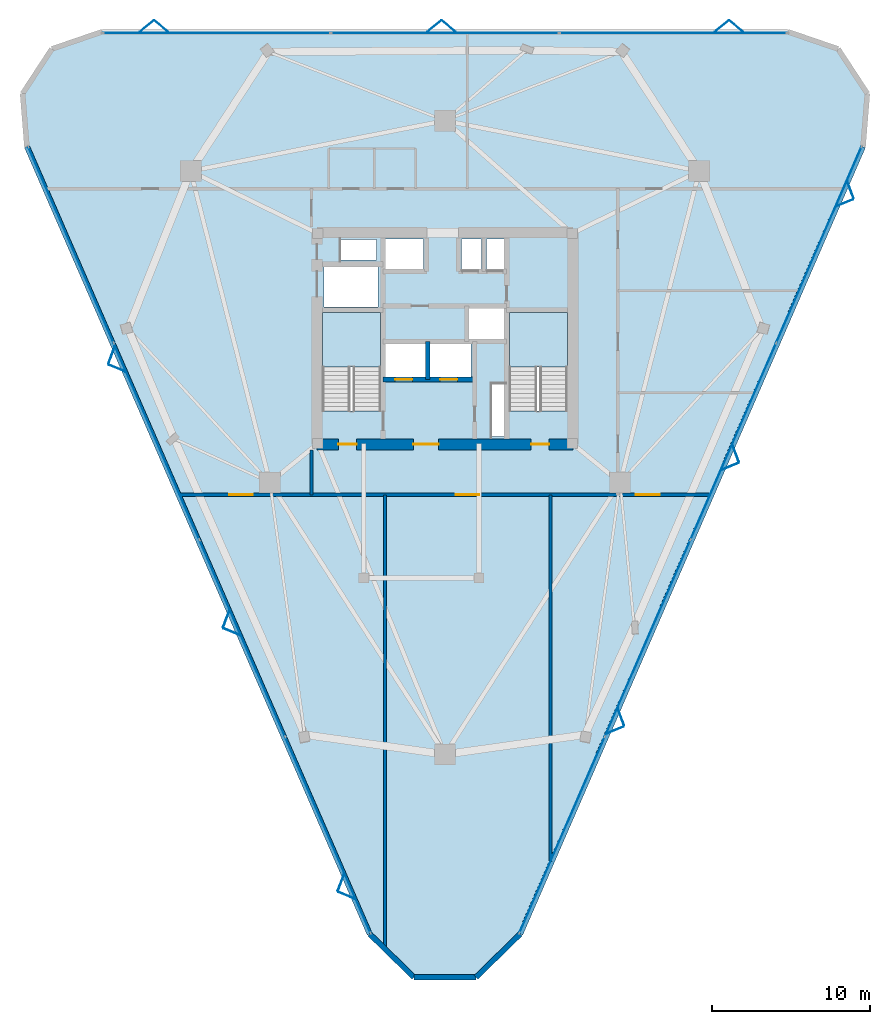
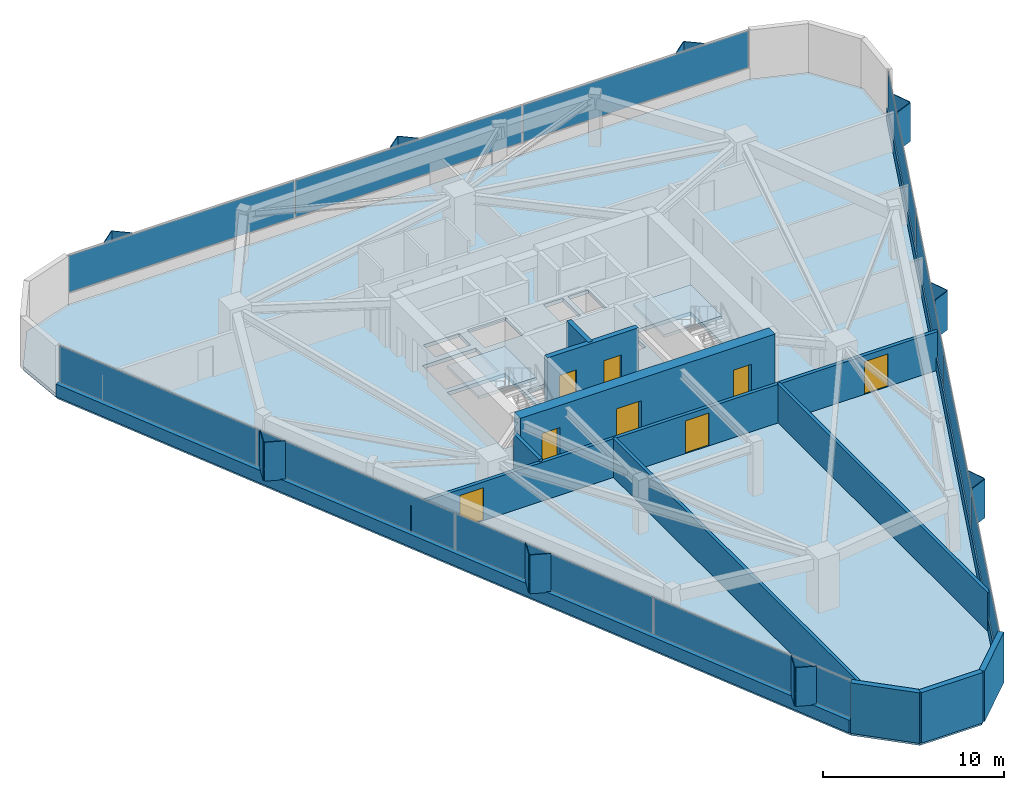
# One storey, part 9 of 12: 29 plates, 12 walls, 8 doors, 3 slabs, 8 openings, 5 elements without a shape of their own.
"""IFC4 building model written with IfcOpenShell, lengths in metres."""

from ifc_helpers import new_model, si_unit, direction, frame, frame_2d, origin, origin_2d, place, context, subcontext, project, spatial, polyline, rectangle, outline, extrude, material, layer, layer_set, type_object, element, fill, aggregate, save


model = new_model("IFC4")

# Units and contexts
model_context = context("Model", 3, precision=1e-05, world=origin(), true_north=direction((0.0, 1.0)))
body_context = subcontext(model_context, "Body", "Model", "MODEL_VIEW")
ifc_project = project(units=[si_unit("LENGTHUNIT", "METRE"), si_unit("AREAUNIT", "SQUARE_METRE"), si_unit("VOLUMEUNIT", "CUBIC_METRE"), si_unit("PLANEANGLEUNIT", "RADIAN"), si_unit("MASSUNIT", "GRAM", prefix="KILO")], contexts=[model_context])

# Site, building, storey
site_placement = place(None, origin())
site = spatial("IfcSite", under=ifc_project, at=site_placement, CompositionType="ELEMENT")
building_placement = place(site_placement, origin())
building = spatial("IfcBuilding", under=site, at=building_placement, Name="Talyreon Biosciences Tower", CompositionType="ELEMENT")
storey_placement = place(building_placement, frame((0.0, 0.0, 183.050048828125)))
storey = spatial("IfcBuildingStorey", under=building, at=storey_placement, Name="L48", CompositionType="ELEMENT", Elevation=183.050048828125)

# Curtain wall, plates
ifc_material_1 = material(Name="Thermally broken aluminium and low-E glazing", Category="aluminium")
ifc_layer_1 = layer(ifc_material_1, 0.179931640625)
ifc_layer_set_1 = layer_set([ifc_layer_1], Name="Thermally broken aluminium and low-E glazing")
curtain_wall_type = type_object("IfcCurtainWallType", Name="CurtainWall_Zone4Optical", PredefinedType="NOTDEFINED", material=ifc_layer_set_1)
curtain_wall_1_placement = place(storey_placement, origin())
curtain_wall_1 = element("IfcCurtainWall", 1, at=curtain_wall_1_placement, inside=storey, type_object=curtain_wall_type, Name="L48 Unitised Curtain Wall FCW-L48-00", PredefinedType="NOTDEFINED")
ifc_material_2 = material(Name="Triple-silver low-E insulated glazing", Category="glass")
ifc_layer_2 = layer(ifc_material_2, 0.031982421875)
ifc_layer_set_2 = layer_set([ifc_layer_2], Name="Triple-silver low-E insulated glazing")
plate_type_1 = type_object("IfcPlateType", Name="CWGlazingPanel_32", PredefinedType="CURTAIN_PANEL", material=ifc_layer_set_2)
plate_1_placement = place(storey_placement, frame((58.5869140625, 36.573974609375, 0.875), z_axis=(0.0, 0.0, 1.0), x_axis=(-0.399089020519, 0.916912184291, 0.0)))
plate_1 = element("IfcPlate", 2, at=plate_1_placement, type_object=plate_type_1, Name="CW5 panel 1.1", PredefinedType="CURTAIN_PANEL", context=body_context, shape_type="SweptSolid", body=[
    extrude(rectangle(XDim=13.49365234375, YDim=0.031982421875, at=origin_2d()), origin(), (0.0, 0.0, 1.0), 2.4599609375),
])
plate_2_placement = place(storey_placement, frame((53.16943359375, 49.02099609375, 0.875), z_axis=(0.0, 0.0, 1.0), x_axis=(-0.399089020519, 0.916912184291, 0.0)))
plate_2 = element("IfcPlate", 3, at=plate_2_placement, type_object=plate_type_1, Name="CW5 panel 2.1", PredefinedType="CURTAIN_PANEL", context=body_context, shape_type="SweptSolid", body=[
    extrude(rectangle(XDim=13.526123046875, YDim=0.031982421875, at=origin_2d()), origin(), (0.0, 0.0, 1.0), 2.4599609375),
])
plate_3_placement = place(storey_placement, frame((47.745361328125, 61.482666015625, 0.875), z_axis=(0.0, 0.0, 1.0), x_axis=(-0.399089020519, 0.916912184291, 0.0)))
plate_3 = element("IfcPlate", 4, at=plate_3_placement, type_object=plate_type_1, Name="CW5 panel 3.1", PredefinedType="CURTAIN_PANEL", context=body_context, shape_type="SweptSolid", body=[
    extrude(rectangle(XDim=13.526123046875, YDim=0.031982421875, at=origin_2d()), origin(), (0.0, 0.0, 1.0), 2.4599609375),
])
plate_4_placement = place(storey_placement, frame((42.327880859375, 73.9296875, 0.875), z_axis=(0.0, 0.0, 1.0), x_axis=(-0.399089020519, 0.916912184291, 0.0)))
plate_4 = element("IfcPlate", 5, at=plate_4_placement, type_object=plate_type_1, Name="CW5 panel 4.1", PredefinedType="CURTAIN_PANEL", context=body_context, shape_type="SweptSolid", body=[
    extrude(rectangle(XDim=13.49365234375, YDim=0.031982421875, at=origin_2d()), origin(), (0.0, 0.0, 1.0), 2.4599609375),
])
aggregate(curtain_wall_1, [plate_1, plate_2, plate_3, plate_4])

curtain_wall_2_placement = place(storey_placement, origin())
curtain_wall_2 = element("IfcCurtainWall", 6, at=curtain_wall_2_placement, inside=storey, type_object=curtain_wall_type, Name="L48 Unitised Curtain Wall FCW-L48-04", PredefinedType="NOTDEFINED")
plate_5_placement = place(storey_placement, frame((51.552001953125, 87.3388671875, 0.875), z_axis=(0.0, 0.0, 1.0), x_axis=(1.0, 0.0, 0.0)))
plate_5 = element("IfcPlate", 7, at=plate_5_placement, type_object=plate_type_1, Name="CW5 panel 1.1", PredefinedType="CURTAIN_PANEL", context=body_context, shape_type="SweptSolid", body=[
    extrude(rectangle(XDim=14.36669921875, YDim=0.031982421875, at=origin_2d()), origin(), (0.0, 0.0, 1.0), 2.4599609375),
])
plate_6_placement = place(storey_placement, frame((66.0, 87.3388671875, 0.875), z_axis=(0.0, 0.0, 1.0), x_axis=(1.0, 0.0, 0.0)))
plate_6 = element("IfcPlate", 8, at=plate_6_placement, type_object=plate_type_1, Name="CW5 panel 2.1", PredefinedType="CURTAIN_PANEL", context=body_context, shape_type="SweptSolid", body=[
    extrude(rectangle(XDim=14.399169921875, YDim=0.031982421875, at=origin_2d()), origin(), (0.0, 0.0, 1.0), 2.4599609375),
])
plate_7_placement = place(storey_placement, frame((80.447998046875, 87.3388671875, 0.875), z_axis=(0.0, 0.0, 1.0), x_axis=(1.0, 0.0, 0.0)))
plate_7 = element("IfcPlate", 9, at=plate_7_placement, type_object=plate_type_1, Name="CW5 panel 3.1", PredefinedType="CURTAIN_PANEL", context=body_context, shape_type="SweptSolid", body=[
    extrude(rectangle(XDim=14.36669921875, YDim=0.031982421875, at=origin_2d()), origin(), (0.0, 0.0, 1.0), 2.4599609375),
])
aggregate(curtain_wall_2, [plate_5, plate_6, plate_7])

curtain_wall_3_placement = place(storey_placement, origin())
curtain_wall_3 = element("IfcCurtainWall", 10, at=curtain_wall_3_placement, inside=storey, type_object=curtain_wall_type, Name="L48 Unitised Curtain Wall FCW-L48-08", PredefinedType="NOTDEFINED")
plate_8_placement = place(storey_placement, frame((89.672119140625, 73.9296875, 0.875), z_axis=(0.0, 0.0, 1.0), x_axis=(-0.399089020519, -0.916912184291, 0.0)))
plate_8 = element("IfcPlate", 11, at=plate_8_placement, type_object=plate_type_1, Name="CW5 panel 1.1", PredefinedType="CURTAIN_PANEL", context=body_context, shape_type="SweptSolid", body=[
    extrude(rectangle(XDim=13.49365234375, YDim=0.031982421875, at=origin_2d()), origin(), (0.0, 0.0, 1.0), 2.4599609375),
])
plate_9_placement = place(storey_placement, frame((84.254638671875, 61.482666015625, 0.875), z_axis=(0.0, 0.0, 1.0), x_axis=(-0.399089020519, -0.916912184291, 0.0)))
plate_9 = element("IfcPlate", 12, at=plate_9_placement, type_object=plate_type_1, Name="CW5 panel 2.1", PredefinedType="CURTAIN_PANEL", context=body_context, shape_type="SweptSolid", body=[
    extrude(rectangle(XDim=13.526123046875, YDim=0.031982421875, at=origin_2d()), origin(), (0.0, 0.0, 1.0), 2.4599609375),
])
plate_10_placement = place(storey_placement, frame((78.83056640625, 49.02099609375, 0.875), z_axis=(0.0, 0.0, 1.0), x_axis=(-0.399089020519, -0.916912184291, 0.0)))
plate_10 = element("IfcPlate", 13, at=plate_10_placement, type_object=plate_type_1, Name="CW5 panel 3.1", PredefinedType="CURTAIN_PANEL", context=body_context, shape_type="SweptSolid", body=[
    extrude(rectangle(XDim=13.526123046875, YDim=0.031982421875, at=origin_2d()), origin(), (0.0, 0.0, 1.0), 2.4599609375),
])
plate_11_placement = place(storey_placement, frame((73.4130859375, 36.573974609375, 0.875), z_axis=(0.0, 0.0, 1.0), x_axis=(-0.399089020519, -0.916912184291, 0.0)))
plate_11 = element("IfcPlate", 14, at=plate_11_placement, type_object=plate_type_1, Name="CW5 panel 4.1", PredefinedType="CURTAIN_PANEL", context=body_context, shape_type="SweptSolid", body=[
    extrude(rectangle(XDim=13.49365234375, YDim=0.031982421875, at=origin_2d()), origin(), (0.0, 0.0, 1.0), 2.4599609375),
])
aggregate(curtain_wall_3, [plate_8, plate_9, plate_10, plate_11])

# Slab
ifc_material_3 = material(Name="Concrete C40/50", Category="concrete")
ifc_layer_3 = layer(ifc_material_3, 0.25)
ifc_layer_set_3 = layer_set([ifc_layer_3], Name="Concrete C40/50")
slab_type_1 = type_object("IfcSlabType", Name="DryLabFloorSlab_250", PredefinedType="FLOOR", material=ifc_layer_set_3)
slab_1_placement = place(storey_placement, frame((0.0, 0.0, -0.25)))
element("IfcSlab", 15, at=slab_1_placement, inside=storey, type_object=slab_type_1, Name="L48 Structural Floor Slab", PredefinedType="FLOOR", context=body_context, shape_type="SweptSolid", body=[
    extrude(outline(polyline([(61.232177734375, 30.29638671875), (39.535888671875, 80.1435546875), (39.265380859375, 83.5048828125), (41.11376953125, 86.325439453125), (44.3037109375, 87.4189453125), (87.6962890625, 87.4189453125), (90.88623046875, 86.325439453125), (92.734619140625, 83.5048828125), (92.464111328125, 80.1435546875), (70.767822265625, 30.29638671875), (67.96142578125, 27.5556640625), (64.03857421875, 27.5556640625), (61.232177734375, 30.29638671875)]), holes=[polyline([(61.929931640625, 69.64990234375), (61.929931640625, 63.407958984375), (58.25, 63.407958984375), (58.25, 69.64990234375), (61.929931640625, 69.64990234375)]), polyline([(64.800048828125, 67.64990234375), (64.800048828125, 65.550048828125), (62.199951171875, 65.550048828125), (62.199951171875, 67.64990234375), (64.800048828125, 67.64990234375)]), polyline([(67.64990234375, 67.64990234375), (67.64990234375, 65.550048828125), (65.050048828125, 65.550048828125), (65.050048828125, 67.64990234375), (67.64990234375, 67.64990234375)]), polyline([(61.75, 69.97998046875), (58.35009765625, 69.97998046875), (58.35009765625, 72.550048828125), (61.75, 72.550048828125), (61.75, 69.97998046875)]), polyline([(64.64990234375, 72.35009765625), (62.199951171875, 72.35009765625), (62.199951171875, 74.300048828125), (64.64990234375, 74.300048828125), (64.64990234375, 72.35009765625)]), polyline([(61.64990234375, 74.25), (61.64990234375, 72.9599609375), (59.39990234375, 72.9599609375), (59.39990234375, 74.25), (61.64990234375, 74.25)]), polyline([(69.820068359375, 61.800048828125), (68.9599609375, 61.800048828125), (68.9599609375, 65.10009765625), (69.820068359375, 65.10009765625), (69.820068359375, 61.800048828125)]), polyline([(73.75, 63.407958984375), (70.070068359375, 63.407958984375), (70.070068359375, 69.64990234375), (73.75, 69.64990234375), (73.75, 63.407958984375)]), polyline([(69.89990234375, 69.949951171875), (69.89990234375, 67.949951171875), (67.5, 67.949951171875), (67.5, 69.949951171875), (69.89990234375, 69.949951171875)]), polyline([(68.300048828125, 72.35009765625), (67.050048828125, 72.35009765625), (67.050048828125, 74.300048828125), (68.300048828125, 74.300048828125), (68.300048828125, 72.35009765625)]), polyline([(69.919921875, 72.35009765625), (68.6201171875, 72.35009765625), (68.6201171875, 74.300048828125), (69.919921875, 74.300048828125), (69.919921875, 72.35009765625)])]), origin(), (0.0, 0.0, 1.0), 0.25),
])

# Plates
ifc_material_4 = material(Name="Ivory GFRC sunshade panel", Category="concrete")
ifc_layer_4 = layer(ifc_material_4, 0.044921875)
ifc_layer_set_4 = layer_set([ifc_layer_4], Name="Ivory GFRC sunshade panel")
plate_type_2 = type_object("IfcPlateType", Name="FoldedVSunshade_NorthFace_SUNSHADE", PredefinedType="USERDEFINED", material=ifc_layer_set_4)
for number, where, z_axis, x_axis, name in (
    (16, (47.123779296875, 87.77880859375, 0.7900390625), (0.0, 0.0, 1.0), (0.771624583388, 0.636078220278, 0.0), "L48 Folded V-Sunshade Panel 04.01L"),
    (17, (48.023681640625, 87.77880859375, 0.7900390625), (0.0, 0.0, 1.0), (0.771624583388, -0.636078220278, 0.0), "L48 Folded V-Sunshade Panel 04.01R"),
    (18, (65.32373046875, 87.77880859375, 0.7900390625), (0.0, 0.0, 1.0), (0.771624583388, 0.636078220278, 0.0), "L48 Folded V-Sunshade Panel 04.02L"),
    (19, (66.223876953125, 87.77880859375, 0.7900390625), (0.0, 0.0, 1.0), (0.771624583388, -0.636078220278, 0.0), "L48 Folded V-Sunshade Panel 04.02R"),
    (20, (83.523681640625, 87.77880859375, 0.7900390625), (0.0, 0.0, 1.0), (0.771624583388, 0.636078220278, 0.0), "L48 Folded V-Sunshade Panel 04.03L"),
    (21, (84.423828125, 87.77880859375, 0.7900390625), (0.0, 0.0, 1.0), (0.771624583388, -0.636078220278, 0.0), "L48 Folded V-Sunshade Panel 04.03R"),
):
    element("IfcPlate", number, at=place(storey_placement, frame(where, z_axis=z_axis, x_axis=x_axis)), inside=storey, type_object=plate_type_2, Name=name, ObjectType="SUNSHADE", PredefinedType="USERDEFINED", context=body_context, shape_type="SweptSolid", body=[
        extrude(rectangle(XDim=1.14990234375, YDim=0.044921875, at=origin_2d()), origin(), (0.0, 0.0, 1.0), 2.610107421875),
    ])
ifc_layer_5 = layer(ifc_material_4, 0.044921875)
ifc_layer_set_5 = layer_set([ifc_layer_5], Name="Ivory GFRC sunshade panel")
plate_type_3 = type_object("IfcPlateType", Name="FoldedVSunshade_SunFace_SUNSHADE", PredefinedType="USERDEFINED", material=ifc_layer_set_5)
for number, where, z_axis, x_axis, name in (
    (22, (59.776611328125, 32.73828125, 0.7900390625), (0.0, 0.0, 1.0), (-0.924019731257, 0.382344787134, 0.0), "L48 Folded V-Sunshade Panel 00.01L"),
    (23, (59.41748046875, 33.5634765625, 0.7900390625), (0.0, 0.0, 1.0), (0.349864049456, 0.93680048404, 0.0), "L48 Folded V-Sunshade Panel 00.01R"),
    (24, (52.51318359375, 49.426025390625, 0.7900390625), (0.0, 0.0, 1.0), (-0.924019731257, 0.382344787134, 0.0), "L48 Folded V-Sunshade Panel 00.02L"),
    (25, (52.154052734375, 50.251220703125, 0.7900390625), (0.0, 0.0, 1.0), (0.349864049456, 0.93680048404, 0.0), "L48 Folded V-Sunshade Panel 00.02R"),
    (26, (45.249755859375, 66.114013671875, 0.7900390625), (0.0, 0.0, 1.0), (-0.924019731257, 0.382344787134, 0.0), "L48 Folded V-Sunshade Panel 00.03L"),
    (27, (44.890625, 66.939208984375, 0.7900390625), (0.0, 0.0, 1.0), (0.349864049456, 0.93680048404, 0.0), "L48 Folded V-Sunshade Panel 00.03R"),
    (28, (91.668701171875, 77.414306640625, 0.7900390625), (0.0, 0.0, 1.0), (0.349864049456, -0.93680048404, 0.0), "L48 Folded V-Sunshade Panel 08.01L"),
    (29, (91.3095703125, 76.589111328125, 0.7900390625), (0.0, 0.0, 1.0), (-0.924019731257, -0.382344787134, 0.0), "L48 Folded V-Sunshade Panel 08.01R"),
    (30, (84.4052734375, 60.726318359375, 0.7900390625), (0.0, 0.0, 1.0), (0.349864049456, -0.93680048404, 0.0), "L48 Folded V-Sunshade Panel 08.02L"),
    (31, (84.046142578125, 59.901123046875, 0.7900390625), (0.0, 0.0, 1.0), (-0.924019731257, -0.382344787134, 0.0), "L48 Folded V-Sunshade Panel 08.02R"),
    (32, (77.141845703125, 44.03857421875, 0.7900390625), (0.0, 0.0, 1.0), (0.349864049456, -0.93680048404, 0.0), "L48 Folded V-Sunshade Panel 08.03L"),
    (33, (76.78271484375, 43.21337890625, 0.7900390625), (0.0, 0.0, 1.0), (-0.924019731257, -0.382344787134, 0.0), "L48 Folded V-Sunshade Panel 08.03R"),
):
    element("IfcPlate", number, at=place(storey_placement, frame(where, z_axis=z_axis, x_axis=x_axis)), inside=storey, type_object=plate_type_3, Name=name, ObjectType="SUNSHADE", PredefinedType="USERDEFINED", context=body_context, shape_type="SweptSolid", body=[
        extrude(rectangle(XDim=1.14990234375, YDim=0.044921875, at=origin_2d()), origin(), (0.0, 0.0, 1.0), 2.610107421875),
    ])

# Stair, slab
stair_type = type_object("IfcStairType", Name="DoglegEscapeStair_3650", PredefinedType="HALF_TURN_STAIR", material=ifc_material_3)
stair_1_placement = place(storey_placement, origin())
stair_1 = element("IfcStair", 34, at=stair_1_placement, inside=storey, type_object=stair_type, Name="L48 Core Escape Stair 1", PredefinedType="HALF_TURN_STAIR")
ifc_layer_6 = layer(ifc_material_3, 0.199951171875)
ifc_layer_set_6 = layer_set([ifc_layer_6], Name="Concrete C40/50")
slab_type_2 = type_object("IfcSlabType", Name="StairLandingSlab_200", PredefinedType="LANDING", material=ifc_layer_set_6)
slab_2_placement = place(storey_placement, frame((0.0, 0.0, 1.625)))
slab_2 = element("IfcSlab", 35, at=slab_2_placement, type_object=slab_type_2, Name="ST-1 landing 1", PredefinedType="LANDING", context=body_context, shape_type="SweptSolid", body=[
    extrude(outline(polyline([(61.929931640625, 66.199951171875), (61.929931640625, 69.64990234375), (58.25, 69.64990234375), (58.25, 66.199951171875), (61.929931640625, 66.199951171875)])), origin(), (0.0, 0.0, 1.0), 0.199951171875),
])
aggregate(stair_1, [slab_2])

stair_2_placement = place(storey_placement, origin())
stair_2 = element("IfcStair", 36, at=stair_2_placement, inside=storey, type_object=stair_type, Name="L48 Core Escape Stair 2", PredefinedType="HALF_TURN_STAIR")
slab_3_placement = place(storey_placement, frame((0.0, 0.0, 1.625)))
slab_3 = element("IfcSlab", 37, at=slab_3_placement, type_object=slab_type_2, Name="ST-2 landing 1", PredefinedType="LANDING", context=body_context, shape_type="SweptSolid", body=[
    extrude(outline(polyline([(73.75, 66.199951171875), (73.75, 69.64990234375), (70.070068359375, 69.64990234375), (70.070068359375, 66.199951171875), (73.75, 66.199951171875)])), origin(), (0.0, 0.0, 1.0), 0.199951171875),
])
aggregate(stair_2, [slab_3])

# Walls
ifc_material_5 = material(Name="Gypsum fireboard acoustic stud", Category="gypsum")
ifc_layer_7 = layer(ifc_material_5, 0.199951171875)
ifc_layer_set_7 = layer_set([ifc_layer_7], Name="Gypsum fireboard acoustic stud")
wall_type_1 = type_object("IfcWallType", Name="ChemControlPartition_200", PredefinedType="PARTITIONING", material=ifc_layer_set_7)
wall_1_placement = place(storey_placement, frame((62.199951171875, 29.469970703125, 0.0), z_axis=(0.0, 0.0, 1.0), x_axis=(0.0, 1.0, 0.0)))
element("IfcWall", 38, at=wall_1_placement, inside=storey, type_object=wall_type_1, Name="L48 Interior Wall IW-L48-SDIV1", PredefinedType="PARTITIONING", context=body_context, shape_type="SweptSolid", body=[
    extrude(rectangle(XDim=28.630126953125, YDim=0.199951171875, at=frame_2d((14.31494140625, 0.0))), origin(), (0.0, 0.0, 1.0), 2.599853515625),
])
wall_2_placement = place(storey_placement, frame((72.672119140625, 34.884033203125, 0.0), z_axis=(0.0, 0.0, 1.0), x_axis=(0.0, 1.0, 0.0)))
element("IfcWall", 39, at=wall_2_placement, inside=storey, type_object=wall_type_1, Name="L48 Interior Wall IW-L48-SDIV2", PredefinedType="PARTITIONING", context=body_context, shape_type="SweptSolid", body=[
    extrude(rectangle(XDim=23.216064453125, YDim=0.199951171875, at=frame_2d((11.60791015625, 0.0))), origin(), (0.0, 0.0, 1.0), 2.599853515625),
])
ifc_material_6 = material(Name="Concrete C50/60", Category="concrete")
ifc_layer_8 = layer(ifc_material_6, 0.280029296875)
ifc_layer_set_8 = layer_set([ifc_layer_8], Name="Concrete C50/60")
wall_type_2 = type_object("IfcWallType", Name="CoreShearWall_280", PredefinedType="SHEAR", material=ifc_layer_set_8)
wall_3_placement = place(storey_placement, frame((64.919921875, 65.39990234375, 0.0), z_axis=(0.0, 0.0, 1.0), x_axis=(0.0, 1.0, 0.0)))
element("IfcWall", 40, at=wall_3_placement, inside=storey, type_object=wall_type_2, Name="L48 Core Shaft Wall SWSHD1", PredefinedType="SHEAR", context=body_context, shape_type="SweptSolid", body=[
    extrude(rectangle(XDim=2.400146484375, YDim=0.280029296875, at=frame_2d((1.2001953125, 0.0))), origin(), (0.0, 0.0, 1.0), 3.64990234375),
])

# Wall, openings, doors
ifc_layer_9 = layer(ifc_material_6, 0.320068359375)
ifc_layer_set_9 = layer_set([ifc_layer_9], Name="Concrete C50/60")
wall_type_3 = type_object("IfcWallType", Name="CoreShearWall_320", PredefinedType="SHEAR", material=ifc_layer_set_9)
wall_4_placement = place(storey_placement, frame((62.090087890625, 65.39990234375, 0.0), z_axis=(0.0, 0.0, 1.0), x_axis=(1.0, 0.0, 0.0)))
wall_4 = element("IfcWall", 41, at=wall_4_placement, inside=storey, type_object=wall_type_3, Name="L48 Core Shaft Wall SWFFN", PredefinedType="SHEAR", context=body_context, shape_type="SweptSolid", body=[
    extrude(rectangle(XDim=5.789794921875, YDim=0.320068359375, at=frame_2d((2.89501953125, 0.0))), origin(), (0.0, 0.0, 1.0), 3.64990234375),
])
opening_1_placement = place(wall_4_placement, frame((0.75, 0.0, 0.0)))
opening_1 = element("IfcOpeningElement", 42, at=opening_1_placement, cuts=wall_4, Name="Opening LD-L48-FL1", PredefinedType="OPENING", context=body_context, shape_type="SweptSolid", body=[
    extrude(rectangle(XDim=1.10009765625, YDim=2.199951171875, at=frame_2d((0.550048828125, 1.10009765625))), frame((0.0, 0.169921875, 0.0), z_axis=(0.0, -1.0, 0.0), x_axis=(1.0, 0.0, 0.0)), (0.0, 0.0, 1.0), 0.340087890625),
])
opening_2_placement = place(wall_4_placement, frame((3.60009765625, 0.0, 0.0)))
opening_2 = element("IfcOpeningElement", 43, at=opening_2_placement, cuts=wall_4, Name="Opening LD-L48-FL2", PredefinedType="OPENING", context=body_context, shape_type="SweptSolid", body=[
    extrude(rectangle(XDim=1.10009765625, YDim=2.199951171875, at=frame_2d((0.550048828125, 1.10009765625))), frame((0.0, 0.169921875, 0.0), z_axis=(0.0, -1.0, 0.0), x_axis=(1.0, 0.0, 0.0)), (0.0, 0.0, 1.0), 0.340087890625),
])
ifc_material_7 = material(Name="Brushed stainless-steel lift landing door", Category="steel")
door_type_1 = type_object("IfcDoorType", Name="LiftSlidingLandingDoor_1100x2200", OperationType="SLIDING_TO_LEFT", PredefinedType="DOOR", material=ifc_material_7)
door_1_placement = place(opening_1_placement, origin())
door_1 = element("IfcDoor", 44, at=door_1_placement, inside=storey, type_object=door_type_1, Name="L48 Core Door LD-L48-FL1", OperationType="SLIDING_TO_LEFT", OverallHeight=2.199951171875, OverallWidth=1.10009765625, PredefinedType="DOOR", context=body_context, shape_type="SweptSolid", body=[
    extrude(rectangle(XDim=1.10009765625, YDim=2.199951171875, at=frame_2d((0.550048828125, 1.10009765625))), frame((0.0, 0.02490234375, 0.0), z_axis=(0.0, -1.0, 0.0), x_axis=(1.0, 0.0, 0.0)), (0.0, 0.0, 1.0), 0.050048828125),
])
fill(opening_1, door_1)
door_2_placement = place(opening_2_placement, origin())
door_2 = element("IfcDoor", 45, at=door_2_placement, inside=storey, type_object=door_type_1, Name="L48 Core Door LD-L48-FL2", OperationType="SLIDING_TO_LEFT", OverallHeight=2.199951171875, OverallWidth=1.10009765625, PredefinedType="DOOR", context=body_context, shape_type="SweptSolid", body=[
    extrude(rectangle(XDim=1.10009765625, YDim=2.199951171875, at=frame_2d((0.550048828125, 1.10009765625))), frame((0.0, 0.02490234375, 0.0), z_axis=(0.0, -1.0, 0.0), x_axis=(1.0, 0.0, 0.0)), (0.0, 0.0, 1.0), 0.050048828125),
])
fill(opening_2, door_2)

ifc_layer_10 = layer(ifc_material_6, 0.699951171875)
ifc_layer_set_10 = layer_set([ifc_layer_10], Name="Concrete C50/60")
wall_type_4 = type_object("IfcWallType", Name="CoreShearWall_700", PredefinedType="SHEAR", material=ifc_layer_set_10)
wall_5_placement = place(storey_placement, frame((57.89990234375, 61.300048828125, 0.0), z_axis=(0.0, 0.0, 1.0), x_axis=(1.0, 0.0, 0.0)))
wall_5 = element("IfcWall", 46, at=wall_5_placement, inside=storey, type_object=wall_type_4, Name="L48 Core Shear Wall S", PredefinedType="SHEAR", context=body_context, shape_type="SweptSolid", body=[
    extrude(rectangle(XDim=16.2001953125, YDim=0.699951171875, at=frame_2d((8.10009765625, 0.0))), origin(), (0.0, 0.0, 1.0), 3.64990234375),
])
opening_3_placement = place(wall_5_placement, frame((1.35009765625, 0.0, 0.0)))
opening_3 = element("IfcOpeningElement", 47, at=opening_3_placement, cuts=wall_5, Name="Opening DR-L48-ST1", PredefinedType="OPENING", context=body_context, shape_type="SweptSolid", body=[
    extrude(rectangle(XDim=1.14990234375, YDim=2.14990234375, at=frame_2d((0.574951171875, 1.074951171875))), frame((0.0, 0.35986328125, 0.0), z_axis=(0.0, -1.0, 0.0), x_axis=(1.0, 0.0, 0.0)), (0.0, 0.0, 1.0), 0.719970703125),
])
opening_4_placement = place(wall_5_placement, frame((6.10009765625, 0.0, 0.0)))
opening_4 = element("IfcOpeningElement", 48, at=opening_4_placement, cuts=wall_5, Name="Opening DR-L48-FFL", PredefinedType="OPENING", context=body_context, shape_type="SweptSolid", body=[
    extrude(rectangle(XDim=1.60009765625, YDim=2.14990234375, at=frame_2d((0.800048828125, 1.074951171875))), frame((0.0, 0.35986328125, 0.0), z_axis=(0.0, -1.0, 0.0), x_axis=(1.0, 0.0, 0.0)), (0.0, 0.0, 1.0), 0.719970703125),
])
opening_5_placement = place(wall_5_placement, frame((13.550048828125, 0.0, 0.0)))
opening_5 = element("IfcOpeningElement", 49, at=opening_5_placement, cuts=wall_5, Name="Opening DR-L48-ST2", PredefinedType="OPENING", context=body_context, shape_type="SweptSolid", body=[
    extrude(rectangle(XDim=1.14990234375, YDim=2.14990234375, at=frame_2d((0.574951171875, 1.074951171875))), frame((0.0, 0.35986328125, 0.0), z_axis=(0.0, -1.0, 0.0), x_axis=(1.0, 0.0, 0.0)), (0.0, 0.0, 1.0), 0.719970703125),
])
ifc_material_8 = material(Name="Painted steel smoke-seal fire door", Category="steel")
door_type_2 = type_object("IfcDoorType", Name="FirefightingLobbyDoubleDoor_1600x2150", OperationType="DOUBLE_DOOR_SINGLE_SWING", PredefinedType="DOOR", material=ifc_material_8)
door_3_placement = place(opening_4_placement, origin())
door_3 = element("IfcDoor", 50, at=door_3_placement, inside=storey, type_object=door_type_2, Name="L48 Core Door DR-L48-FFL", OperationType="DOUBLE_DOOR_SINGLE_SWING", OverallHeight=2.14990234375, OverallWidth=1.60009765625, PredefinedType="DOOR", context=body_context, shape_type="SweptSolid", body=[
    extrude(rectangle(XDim=1.60009765625, YDim=2.14990234375, at=frame_2d((0.800048828125, 1.074951171875))), frame((0.0, 0.02490234375, 0.0), z_axis=(0.0, -1.0, 0.0), x_axis=(1.0, 0.0, 0.0)), (0.0, 0.0, 1.0), 0.050048828125),
])
fill(opening_4, door_3)
ifc_material_9 = material(Name="Painted steel fire door", Category="steel")
door_type_3 = type_object("IfcDoorType", Name="StairShaftFireDoor_1150x2150", OperationType="NOTDEFINED", PredefinedType="DOOR", material=ifc_material_9)
door_4_placement = place(opening_3_placement, origin())
door_4 = element("IfcDoor", 51, at=door_4_placement, inside=storey, type_object=door_type_3, Name="L48 Core Door DR-L48-ST1", OperationType="SINGLE_SWING_LEFT", OverallHeight=2.14990234375, OverallWidth=1.14990234375, PredefinedType="DOOR", context=body_context, shape_type="SweptSolid", body=[
    extrude(rectangle(XDim=1.14990234375, YDim=2.14990234375, at=frame_2d((0.574951171875, 1.074951171875))), frame((0.0, 0.02490234375, 0.0), z_axis=(0.0, -1.0, 0.0), x_axis=(1.0, 0.0, 0.0)), (0.0, 0.0, 1.0), 0.050048828125),
])
fill(opening_3, door_4)
door_5_placement = place(opening_5_placement, origin())
door_5 = element("IfcDoor", 52, at=door_5_placement, inside=storey, type_object=door_type_3, Name="L48 Core Door DR-L48-ST2", OperationType="SINGLE_SWING_RIGHT", OverallHeight=2.14990234375, OverallWidth=1.14990234375, PredefinedType="DOOR", context=body_context, shape_type="SweptSolid", body=[
    extrude(rectangle(XDim=1.14990234375, YDim=2.14990234375, at=frame_2d((0.574951171875, 1.074951171875))), frame((0.0, 0.02490234375, 0.0), z_axis=(0.0, -1.0, 0.0), x_axis=(1.0, 0.0, 0.0)), (0.0, 0.0, 1.0), 0.050048828125),
])
fill(opening_5, door_5)

ifc_layer_11 = layer(ifc_material_5, 0.219970703125)
ifc_layer_set_11 = layer_set([ifc_layer_11], Name="Gypsum fireboard acoustic stud")
wall_type_5 = type_object("IfcWallType", Name="CorridorRatedPartition_220", PredefinedType="PARTITIONING", material=ifc_layer_set_11)
wall_6_placement = place(storey_placement, frame((49.22314453125, 58.10009765625, 0.0), z_axis=(0.0, 0.0, 1.0), x_axis=(1.0, 0.0, 0.0)))
wall_6 = element("IfcWall", 53, at=wall_6_placement, inside=storey, type_object=wall_type_5, Name="L48 Interior Wall IW-L48-COR-S", PredefinedType="PARTITIONING", context=body_context, shape_type="SweptSolid", body=[
    extrude(rectangle(XDim=33.5537109375, YDim=0.219970703125, at=frame_2d((16.77685546875, 0.0))), origin(), (0.0, 0.0, 1.0), 2.599853515625),
])
opening_6_placement = place(wall_6_placement, frame((3.116943359375, 0.0, 0.0)))
opening_6 = element("IfcOpeningElement", 54, at=opening_6_placement, cuts=wall_6, Name="Opening DR-L48-S1A", PredefinedType="OPENING", context=body_context, shape_type="SweptSolid", body=[
    extrude(rectangle(XDim=1.5, YDim=2.199951171875, at=frame_2d((0.75, 1.10009765625))), frame((0.0, 0.119873046875, 0.0), z_axis=(0.0, -1.0, 0.0), x_axis=(1.0, 0.0, 0.0)), (0.0, 0.0, 1.0), 0.239990234375),
])
opening_7_placement = place(wall_6_placement, frame((17.462890625, 0.0, 0.0)))
opening_7 = element("IfcOpeningElement", 55, at=opening_7_placement, cuts=wall_6, Name="Opening DR-L48-S2A", PredefinedType="OPENING", context=body_context, shape_type="SweptSolid", body=[
    extrude(rectangle(XDim=1.5, YDim=2.199951171875, at=frame_2d((0.75, 1.10009765625))), frame((0.0, 0.119873046875, 0.0), z_axis=(0.0, -1.0, 0.0), x_axis=(1.0, 0.0, 0.0)), (0.0, 0.0, 1.0), 0.239990234375),
])
opening_8_placement = place(wall_6_placement, frame((28.863037109375, 0.0, 0.0)))
opening_8 = element("IfcOpeningElement", 56, at=opening_8_placement, cuts=wall_6, Name="Opening DR-L48-S3A", PredefinedType="OPENING", context=body_context, shape_type="SweptSolid", body=[
    extrude(rectangle(XDim=1.5, YDim=2.199951171875, at=frame_2d((0.75, 1.10009765625))), frame((0.0, 0.119873046875, 0.0), z_axis=(0.0, -1.0, 0.0), x_axis=(1.0, 0.0, 0.0)), (0.0, 0.0, 1.0), 0.239990234375),
])
ifc_material_10 = material(Name="Vision-panel steel laboratory fire door", Category="steel")
door_type_4 = type_object("IfcDoorType", Name="WetLabDoubleLeafDoor_1500x2200", OperationType="DOUBLE_DOOR_SINGLE_SWING", PredefinedType="DOOR", material=ifc_material_10)
door_6_placement = place(opening_6_placement, origin())
door_6 = element("IfcDoor", 57, at=door_6_placement, inside=storey, type_object=door_type_4, Name="L48 Interior Door DR-L48-S1A", OperationType="DOUBLE_DOOR_SINGLE_SWING", OverallHeight=2.199951171875, OverallWidth=1.5, PredefinedType="DOOR", context=body_context, shape_type="SweptSolid", body=[
    extrude(rectangle(XDim=1.5, YDim=2.199951171875, at=frame_2d((0.75, 1.10009765625))), frame((0.0, 0.02490234375, 0.0), z_axis=(0.0, -1.0, 0.0), x_axis=(1.0, 0.0, 0.0)), (0.0, 0.0, 1.0), 0.050048828125),
])
fill(opening_6, door_6)
door_7_placement = place(opening_7_placement, origin())
door_7 = element("IfcDoor", 58, at=door_7_placement, inside=storey, type_object=door_type_4, Name="L48 Interior Door DR-L48-S2A", OperationType="DOUBLE_DOOR_SINGLE_SWING", OverallHeight=2.199951171875, OverallWidth=1.5, PredefinedType="DOOR", context=body_context, shape_type="SweptSolid", body=[
    extrude(rectangle(XDim=1.5, YDim=2.199951171875, at=frame_2d((0.75, 1.10009765625))), frame((0.0, 0.02490234375, 0.0), z_axis=(0.0, -1.0, 0.0), x_axis=(1.0, 0.0, 0.0)), (0.0, 0.0, 1.0), 0.050048828125),
])
fill(opening_7, door_7)
door_8_placement = place(opening_8_placement, origin())
door_8 = element("IfcDoor", 59, at=door_8_placement, inside=storey, type_object=door_type_4, Name="L48 Interior Door DR-L48-S3A", OperationType="DOUBLE_DOOR_SINGLE_SWING", OverallHeight=2.199951171875, OverallWidth=1.5, PredefinedType="DOOR", context=body_context, shape_type="SweptSolid", body=[
    extrude(rectangle(XDim=1.5, YDim=2.199951171875, at=frame_2d((0.75, 1.10009765625))), frame((0.0, 0.02490234375, 0.0), z_axis=(0.0, -1.0, 0.0), x_axis=(1.0, 0.0, 0.0)), (0.0, 0.0, 1.0), 0.050048828125),
])
fill(opening_8, door_8)

# Walls
wall_7_placement = place(storey_placement, frame((57.550048828125, 58.10009765625, 0.0), z_axis=(0.0, 0.0, 1.0), x_axis=(0.0, 1.0, 0.0)))
element("IfcWall", 60, at=wall_7_placement, inside=storey, type_object=wall_type_5, Name="L48 Interior Wall IW-L48-WCAP-S", PredefinedType="PARTITIONING", context=body_context, shape_type="SweptSolid", body=[
    extrude(rectangle(XDim=2.849853515625, YDim=0.219970703125, at=frame_2d((1.4248046875, 0.0))), origin(), (0.0, 0.0, 1.0), 2.780029296875),
])
ifc_material_11 = material(Name="Precast concrete C45/55", Category="concrete")
ifc_layer_12 = layer(ifc_material_11, 0.340087890625)
ifc_layer_set_12 = layer_set([ifc_layer_12], Name="Precast concrete C45/55")
wall_type_6 = type_object("IfcWallType", Name="PrecastConcreteSpandrelWall_340", PredefinedType="STANDARD", material=ifc_layer_set_12)
for number, where, z_axis, x_axis, name in (
    (61, (61.232177734375, 30.29638671875, 0.0), (0.0, 0.0, 1.0), (-0.399091286562, 0.916911197985, 0.0), "L48 Expressed Concrete Sill Wall 00"),
    (62, (92.464111328125, 80.1435546875, 0.0), (0.0, 0.0, 1.0), (-0.399091286562, -0.916911197985, 0.0), "L48 Expressed Concrete Sill Wall 08"),
):
    element("IfcWall", number, at=place(storey_placement, frame(where, z_axis=z_axis, x_axis=x_axis)), inside=storey, type_object=wall_type_6, Name=name, PredefinedType="STANDARD", context=body_context, shape_type="SweptSolid", body=[
        extrude(rectangle(XDim=54.3642578125, YDim=0.340087890625, at=frame_2d((27.18212890625, 0.0))), origin(), (0.0, 0.0, 1.0), 0.849853515625),
    ])
wall_8_placement = place(storey_placement, frame((70.767822265625, 30.29638671875, 0.0), z_axis=(0.0, 0.0, 1.0), x_axis=(-0.715428269207, -0.698686189658, 0.0)))
element("IfcWall", 63, at=wall_8_placement, inside=storey, type_object=wall_type_6, Name="L48 Rounded-Corner Concrete Pier 09", PredefinedType="STANDARD", context=body_context, shape_type="SweptSolid", body=[
    extrude(rectangle(XDim=3.922607421875, YDim=0.340087890625, at=frame_2d((1.96142578125, 0.0))), origin(), (0.0, 0.0, 1.0), 3.39990234375),
])
wall_9_placement = place(storey_placement, frame((67.96142578125, 27.5556640625, 0.0), z_axis=(0.0, 0.0, 1.0), x_axis=(-1.0, 0.0, 0.0)))
element("IfcWall", 64, at=wall_9_placement, inside=storey, type_object=wall_type_6, Name="L48 Rounded-Corner Concrete Pier 10", PredefinedType="STANDARD", context=body_context, shape_type="SweptSolid", body=[
    extrude(rectangle(XDim=3.9228515625, YDim=0.340087890625, at=frame_2d((1.96142578125, 0.0))), origin(), (0.0, 0.0, 1.0), 3.39990234375),
])
wall_10_placement = place(storey_placement, frame((64.03857421875, 27.5556640625, 0.0), z_axis=(0.0, 0.0, 1.0), x_axis=(-0.715428269207, 0.698686189658, 0.0)))
element("IfcWall", 65, at=wall_10_placement, inside=storey, type_object=wall_type_6, Name="L48 Rounded-Corner Concrete Pier 11", PredefinedType="STANDARD", context=body_context, shape_type="SweptSolid", body=[
    extrude(rectangle(XDim=3.922607421875, YDim=0.340087890625, at=frame_2d((1.96142578125, 0.0))), origin(), (0.0, 0.0, 1.0), 3.39990234375),
])

save(model, "model.ifc")
